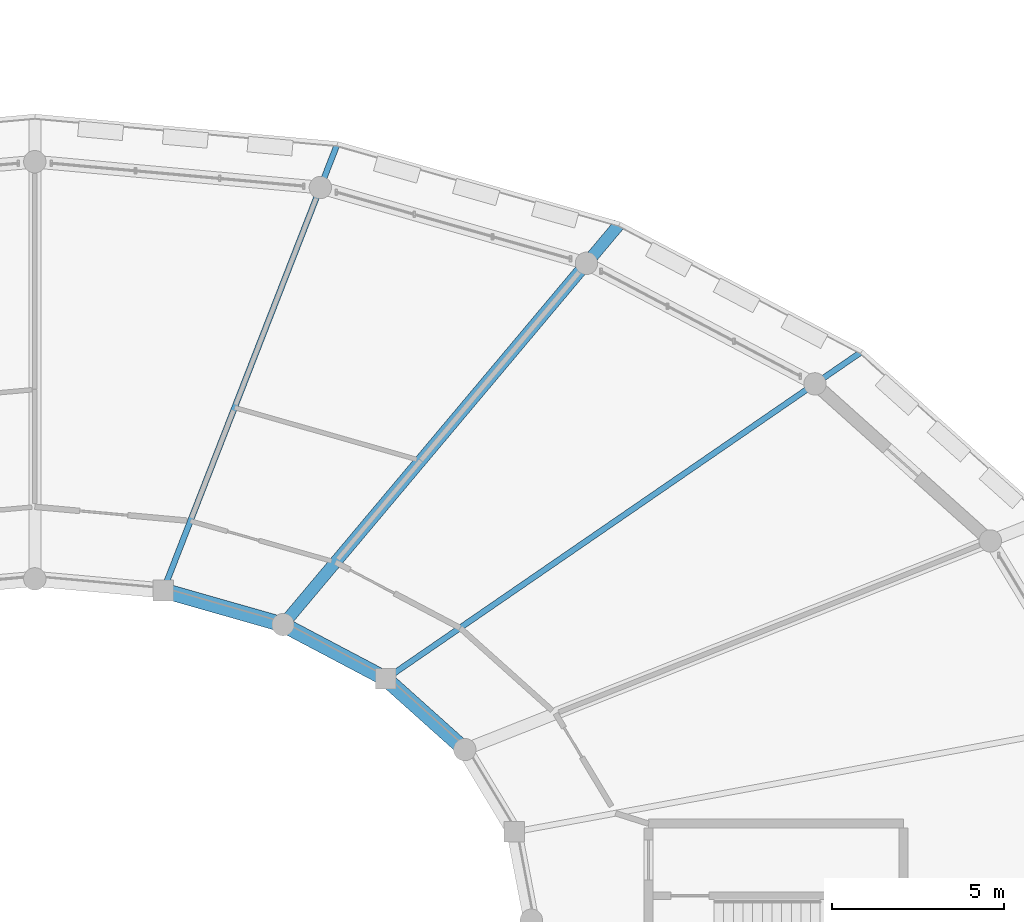
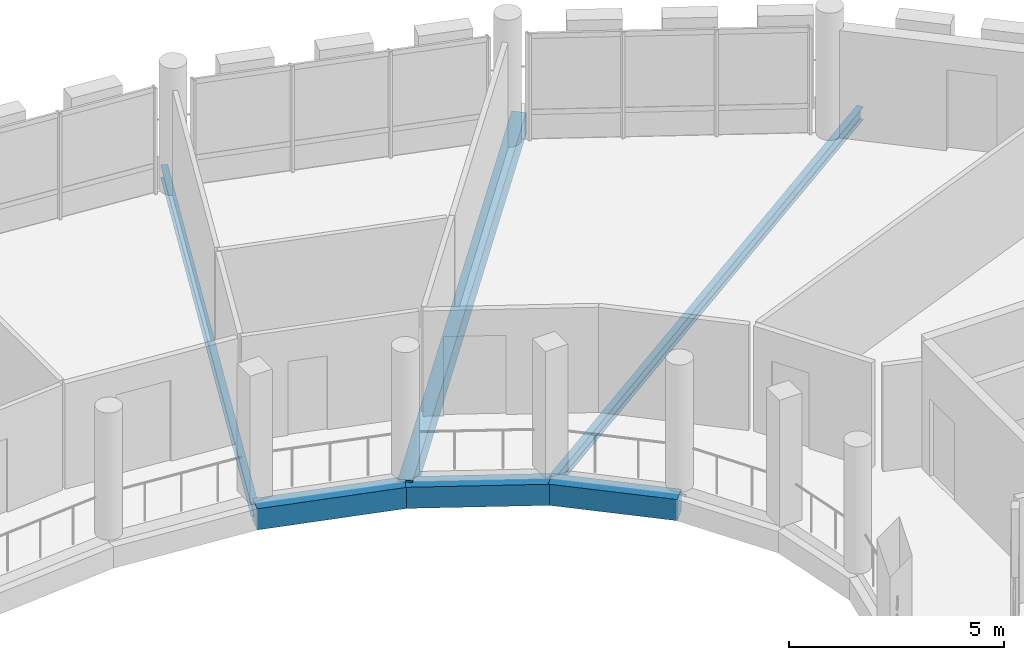
# One storey, part 46 of 93: 6 beams.
"""IFC4 building model written with IfcOpenShell, lengths in metres."""

from ifc_helpers import new_model, si_unit, direction, frame, origin, origin_2d, place, context, subcontext, project, spatial, rectangle, i_section, extrude, material, material_profile, profile_set, type_object, element, save


model = new_model("IFC4")

# Units and contexts
model_context = context("Model", 3, precision=1e-05, world=origin(), true_north=direction((0.0, 1.0)))
body_context = subcontext(model_context, "Body", "Model", "MODEL_VIEW")
ifc_project = project(units=[si_unit("LENGTHUNIT", "METRE"), si_unit("AREAUNIT", "SQUARE_METRE"), si_unit("VOLUMEUNIT", "CUBIC_METRE"), si_unit("PLANEANGLEUNIT", "RADIAN"), si_unit("MASSUNIT", "GRAM", prefix="KILO")], contexts=[model_context])

# Site, building, storey
site_placement = place(None, origin())
site = spatial("IfcSite", under=ifc_project, at=site_placement, CompositionType="ELEMENT")
building_placement = place(site_placement, origin())
building = spatial("IfcBuilding", under=site, at=building_placement, Name="Zornivar Specialist Clinic", CompositionType="ELEMENT")
storey_placement = place(building_placement, frame((0.0, 0.0, 8.39990234375)))
storey = spatial("IfcBuildingStorey", under=building, at=storey_placement, Name="L02", CompositionType="ELEMENT", Elevation=8.39990234375)

# Beams
ifc_material_1 = material(Name="Concrete C30/37", Category="concrete")
ifc_material_profile_1 = material_profile(ifc_material_1, rectangle(XDim=0.43994140625, YDim=0.60009765625, at=origin_2d()), Name="RC 440x600")
ifc_profile_set_1 = profile_set([ifc_material_profile_1], Name="Concrete C30/37")
beam_type_1 = type_object("IfcBeamType", Name="BM-RC-440x600", PredefinedType="BEAM", material=ifc_profile_set_1)
beam_1_placement = place(storey_placement, frame((106.071044921875, 62.550048828125, -0.58984375), z_axis=(-0.744927462836, 0.66714546773, 0.0), x_axis=(-0.66714546773, -0.744927462836, 0.0)))
element("IfcBeam", 1, at=beam_1_placement, inside=storey, type_object=beam_type_1, Name="bm:V1:L02:inring:02", PredefinedType="BEAM", context=body_context, shape_type="SweptSolid", body=[
    extrude(rectangle(XDim=0.43994140625, YDim=0.60009765625, at=origin_2d()), origin(), (0.0, 0.0, 1.0), 3.07275390625),
])
beam_2_placement = place(storey_placement, frame((103.781982421875, 64.60009765625, -0.58984375), z_axis=(-0.884363165653, 0.466799519319, 0.0), x_axis=(-0.466799519319, -0.884363165653, 0.0)))
element("IfcBeam", 2, at=beam_2_placement, inside=storey, type_object=beam_type_1, Name="bm:V1:L02:inring:03", PredefinedType="BEAM", context=body_context, shape_type="SweptSolid", body=[
    extrude(rectangle(XDim=0.43994140625, YDim=0.60009765625, at=origin_2d()), origin(), (0.0, 0.0, 1.0), 3.371826171875),
])
beam_3_placement = place(storey_placement, frame((100.800048828125, 66.174072265625, -0.58984375), z_axis=(-0.961765935349, 0.2738727544, 0.0), x_axis=(-0.2738727544, -0.961765935349, 0.0)))
element("IfcBeam", 3, at=beam_3_placement, inside=storey, type_object=beam_type_1, Name="bm:V1:L02:inring:04", PredefinedType="BEAM", context=body_context, shape_type="SweptSolid", body=[
    extrude(rectangle(XDim=0.43994140625, YDim=0.60009765625, at=origin_2d()), origin(), (0.0, 0.0, 1.0), 3.611328125),
])
ifc_material_2 = material(Name="Concrete C30/37", Category="concrete")
ifc_material_profile_2 = material_profile(ifc_material_2, rectangle(XDim=0.35009765625, YDim=0.6201171875, at=origin_2d()), Name="RC 350x620")
ifc_profile_set_2 = profile_set([ifc_material_profile_2], Name="Concrete C30/37")
beam_type_2 = type_object("IfcBeamType", Name="BM-RC-CANT-350x620", PredefinedType="BEAM", material=ifc_profile_set_2)
beam_4_placement = place(storey_placement, frame((100.800048828125, 66.174072265625, -0.5498046875), z_axis=(0.643102291661, 0.765780283411, 0.0), x_axis=(-0.765780283411, 0.643102291661, 0.0)))
element("IfcBeam", 4, at=beam_4_placement, inside=storey, type_object=beam_type_2, Name="bm:V1:L02:radcant:04", PredefinedType="BEAM", context=body_context, shape_type="SweptSolid", body=[
    extrude(rectangle(XDim=0.35009765625, YDim=0.6201171875, at=origin_2d()), origin(), (0.0, 0.0, 1.0), 15.176513671875),
])
ifc_material_3 = material(Name="Steel S355J2", Category="steel")
ifc_material_profile_3 = material_profile(ifc_material_3, i_section(OverallWidth=0.169921875, OverallDepth=0.360107421875, WebThickness=0.008056640625, FlangeThickness=0.0126953125, FilletRadius=0.01806640625, at=origin_2d()), Name="IPE 360")
ifc_profile_set_3 = profile_set([ifc_material_profile_3], Name="Steel S355J2")
beam_type_3 = type_object("IfcBeamType", Name="BM-STL-IPE360", PredefinedType="BEAM", material=ifc_profile_set_3)
beam_5_placement = place(storey_placement, frame((103.781982421875, 64.60009765625, -0.469970703125), z_axis=(0.82402959127, 0.566546761276, 0.0), x_axis=(-0.566546761276, 0.82402959127, 0.0)))
element("IfcBeam", 5, at=beam_5_placement, inside=storey, type_object=beam_type_3, Name="bm:V1:L02:radmid:03", PredefinedType="BEAM", context=body_context, shape_type="SweptSolid", body=[
    extrude(i_section(OverallWidth=0.169921875, OverallDepth=0.360107421875, WebThickness=0.008056640625, FlangeThickness=0.0126953125, FilletRadius=0.01806640625, at=origin_2d()), origin(), (0.0, 0.0, 1.0), 16.75048828125),
])
beam_6_placement = place(storey_placement, frame((97.326904296875, 67.1630859375, -0.469970703125), z_axis=(0.363149073781, 0.931731050364, 0.0), x_axis=(-0.931731050364, 0.363149073781, 0.0)))
element("IfcBeam", 6, at=beam_6_placement, inside=storey, type_object=beam_type_3, Name="bm:V1:L02:radmid:05", PredefinedType="BEAM", context=body_context, shape_type="SweptSolid", body=[
    extrude(i_section(OverallWidth=0.169921875, OverallDepth=0.360107421875, WebThickness=0.008056640625, FlangeThickness=0.0126953125, FilletRadius=0.01806640625, at=origin_2d()), origin(), (0.0, 0.0, 1.0), 13.91162109375),
])

save(model, "model.ifc")
